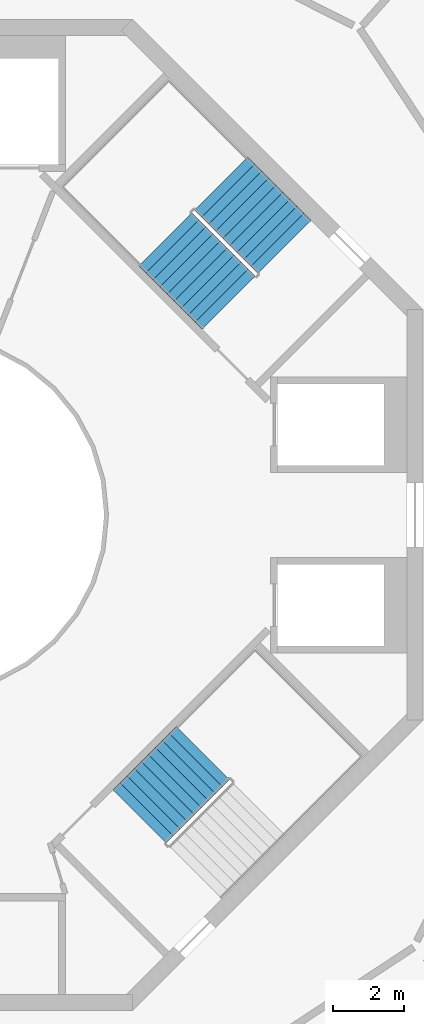
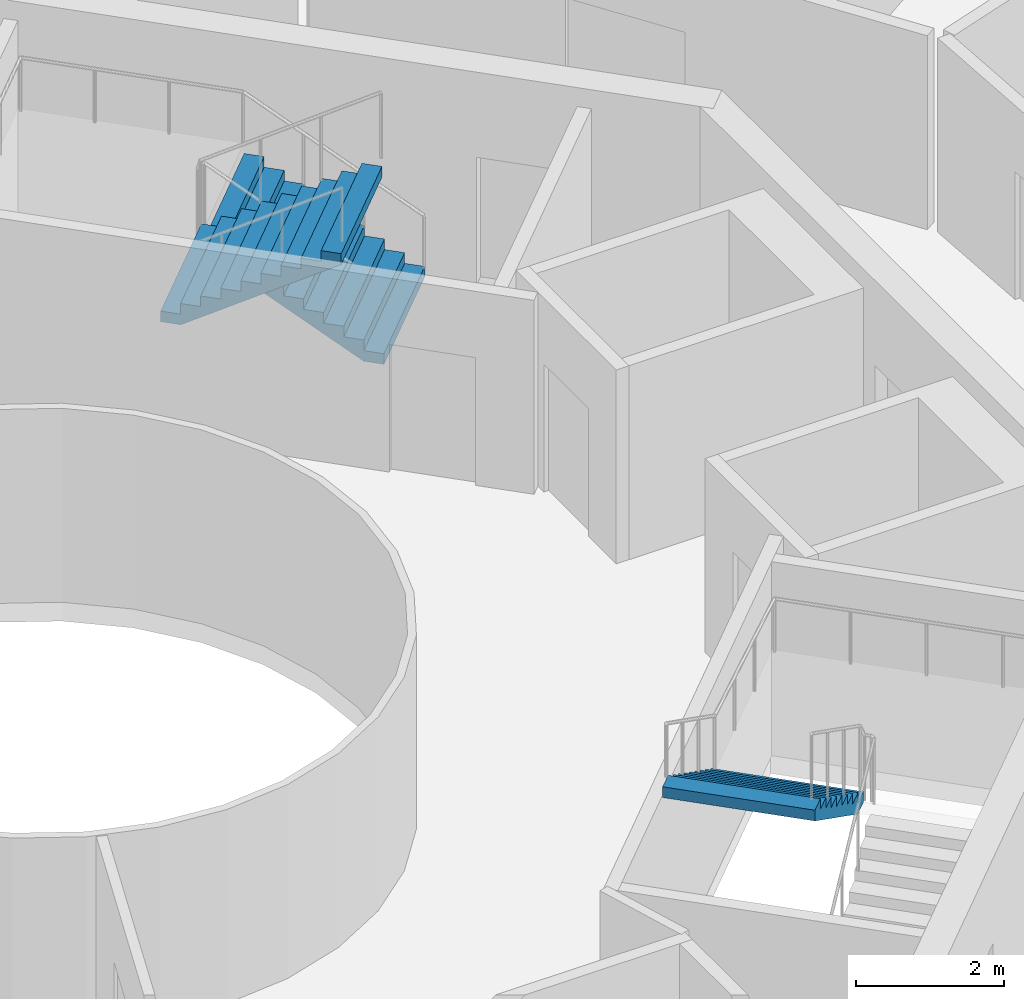
# One storey, part 25 of 26: 3 stair flights, 2 elements without a shape of their own.
"""IFC4 building model written with IfcOpenShell, lengths in metres."""

from ifc_helpers import new_model, si_unit, direction, frame, origin, place, context, subcontext, project, spatial, triangles, material, type_object, element, aggregate, save


model = new_model("IFC4")

# Units and contexts
model_context = context("Model", 3, precision=1e-05, world=origin(), true_north=direction((0.0, 1.0)))
body_context = subcontext(model_context, "Body", "Model", "MODEL_VIEW")
ifc_project = project(units=[si_unit("LENGTHUNIT", "METRE"), si_unit("AREAUNIT", "SQUARE_METRE"), si_unit("VOLUMEUNIT", "CUBIC_METRE"), si_unit("PLANEANGLEUNIT", "RADIAN"), si_unit("MASSUNIT", "GRAM", prefix="KILO")], contexts=[model_context])

# Site, building, storey
site_placement = place(None, origin())
site = spatial("IfcSite", under=ifc_project, at=site_placement, CompositionType="ELEMENT")
building_placement = place(site_placement, origin())
building = spatial("IfcBuilding", under=site, at=building_placement, Name="Verdalira Terraces Hotel", CompositionType="ELEMENT")
storey_placement = place(building_placement, frame((0.0, 0.0, 291.5)))
storey = spatial("IfcBuildingStorey", under=building, at=storey_placement, Name="L72", CompositionType="ELEMENT", Elevation=291.5)

# Stair, stair flights
ifc_material_1 = material(Name="Concrete C40", Category="concrete")
stair_type = type_object("IfcStairType", Name="Core stair 20 risers 2125 mm wide", PredefinedType="HALF_TURN_STAIR", material=ifc_material_1)
stair_1_placement = place(storey_placement, origin())
stair_1 = element("IfcStair", 1, at=stair_1_placement, inside=storey, type_object=stair_type, Name="L72 Exit stair ST1", PredefinedType="HALF_TURN_STAIR")
ifc_material_2 = material(Name="Concrete C40", Category="concrete")
stair_flight_type = type_object("IfcStairFlightType", Name="Core stair flight 20 risers 2125 mm wide", PredefinedType="STRAIGHT", material=ifc_material_2)
stair_flight_1_placement = place(storey_placement, frame((10.085205, 7.574951, 0.0), z_axis=(0.0, 0.0, 1.0), x_axis=(-0.707106781, 0.707106781, 0.0)))
stair_flight_1 = element("IfcStairFlight", 2, at=stair_flight_1_placement, type_object=stair_flight_type, Name="ST1 flight 1", NumberOfRisers=10, NumberOfTreads=9, PredefinedType="STRAIGHT", RiserHeight=0.175, TreadLength=0.28, context=body_context, shape_type="Tessellation", body=[
    triangles([(0.0, 1.0625, 0.0), (0.282715, 1.0625, 0.0), (2.52002, 1.0625, 1.398193), (0.0, -1.0625, 0.0), (0.282715, -1.0625, 0.0), (2.52002, -1.0625, 1.398193), (2.52002, 1.0625, 1.574951), (2.23999, 1.0625, 1.574951), (2.52002, -1.0625, 1.574951), (2.23999, -1.0625, 1.574951), (2.23999, 1.0625, 1.399902), (2.23999, -1.0625, 1.399902), (1.959961, 1.0625, 1.399902), (1.959961, -1.0625, 1.399902), (1.959961, 1.0625, 1.225098), (1.959961, -1.0625, 1.225098), (1.679932, 1.0625, 1.225098), (1.679932, 1.0625, 1.050049), (1.679932, -1.0625, 1.225098), (1.679932, -1.0625, 1.050049), (1.399902, 1.0625, 1.050049), (1.399902, 1.0625, 0.875), (1.399902, -1.0625, 1.050049), (1.399902, -1.0625, 0.875), (1.120117, 1.0625, 0.875), (1.120117, 1.0625, 0.699951), (1.120117, -1.0625, 0.875), (1.120117, -1.0625, 0.699951), (0.840088, 1.0625, 0.699951), (0.840088, 1.0625, 0.524902), (0.840088, -1.0625, 0.699951), (0.840088, -1.0625, 0.524902), (0.560059, 1.0625, 0.524902), (0.560059, 1.0625, 0.350098), (0.560059, -1.0625, 0.524902), (0.560059, -1.0625, 0.350098), (0.280029, 1.0625, 0.350098), (0.280029, 1.0625, 0.175049), (0.280029, -1.0625, 0.350098), (0.280029, -1.0625, 0.175049), (0.0, 1.0625, 0.175049), (0.0, -1.0625, 0.175049), (0.0, -0.996094, 0.0), (0.0, -0.996094, 0.175049), (0.0, -0.929688, 0.0), (0.0, -0.929688, 0.175049), (0.0, -0.863281, 0.0), (0.0, -0.863281, 0.175049), (0.0, -0.796875, 0.0), (0.0, -0.796875, 0.175049), (0.0, -0.730469, 0.0), (0.0, -0.730469, 0.175049), (0.0, -0.664062, 0.0), (0.0, -0.664062, 0.175049), (0.0, -0.597656, 0.0), (0.0, -0.597656, 0.175049), (0.0, -0.53125, 0.0), (0.0, -0.53125, 0.175049), (0.0, -0.464844, 0.0), (0.0, -0.464844, 0.175049), (0.0, -0.398438, 0.0), (0.0, -0.398438, 0.175049), (0.0, -0.332031, 0.0), (0.0, -0.332031, 0.175049), (0.0, -0.265625, 0.0), (0.0, -0.265625, 0.175049), (0.0, -0.199219, 0.0), (0.0, -0.199219, 0.175049), (0.0, -0.132812, 0.0), (0.0, -0.132812, 0.175049), (0.0, -0.066406, 0.0), (0.0, -0.066406, 0.175049), (0.0, 0.0, 0.0), (0.0, 0.0, 0.175049), (0.0, 0.066406, 0.0), (0.0, 0.066406, 0.175049), (0.0, 0.132812, 0.0), (0.0, 0.132812, 0.175049), (0.0, 0.199219, 0.0), (0.0, 0.199219, 0.175049), (0.0, 0.265625, 0.0), (0.0, 0.265625, 0.175049), (0.0, 0.332031, 0.0), (0.0, 0.332031, 0.175049), (0.0, 0.398438, 0.0), (0.0, 0.398438, 0.175049), (0.0, 0.464844, 0.0), (0.0, 0.464844, 0.175049), (0.0, 0.53125, 0.0), (0.0, 0.53125, 0.175049), (0.0, 0.597656, 0.0), (0.0, 0.597656, 0.175049), (0.0, 0.664062, 0.0), (0.0, 0.664062, 0.175049), (0.0, 0.730469, 0.0), (0.0, 0.730469, 0.175049), (0.0, 0.796875, 0.0), (0.0, 0.796875, 0.175049), (0.0, 0.863281, 0.0), (0.0, 0.863281, 0.175049), (0.0, 0.929688, 0.0), (0.0, 0.929688, 0.175049), (0.0, 0.996094, 0.0), (0.0, 0.996094, 0.175049), (2.52002, -0.996094, 1.574951), (2.52002, -0.929688, 1.574951), (2.52002, -0.863281, 1.574951), (2.52002, -0.796875, 1.574951), (2.52002, -0.730469, 1.574951), (2.52002, -0.664062, 1.574951), (2.52002, -0.597656, 1.574951), (2.52002, -0.53125, 1.574951), (2.52002, -0.464844, 1.574951), (2.52002, -0.398438, 1.574951), (2.52002, -0.332031, 1.574951), (2.52002, -0.265625, 1.574951), (2.52002, -0.199219, 1.574951), (2.52002, -0.132812, 1.574951), (2.52002, -0.066406, 1.574951), (2.52002, 0.0, 1.574951), (2.52002, 0.066406, 1.574951), (2.52002, 0.132812, 1.574951), (2.52002, 0.199219, 1.574951), (2.52002, 0.265625, 1.574951), (2.52002, 0.332031, 1.574951), (2.52002, 0.398438, 1.574951), (2.52002, 0.464844, 1.574951), (2.52002, 0.53125, 1.574951), (2.52002, 0.597656, 1.574951), (2.52002, 0.664062, 1.574951), (2.52002, 0.730469, 1.574951), (2.52002, 0.796875, 1.574951), (2.52002, 0.863281, 1.574951), (2.52002, 0.929688, 1.574951), (2.52002, 0.996094, 1.574951), (2.52002, -0.996094, 1.398193), (2.52002, -0.929688, 1.398193), (2.52002, -0.863281, 1.398193), (2.52002, -0.796875, 1.398193), (2.52002, -0.730469, 1.398193), (2.52002, -0.664062, 1.398193), (2.52002, -0.597656, 1.398193), (2.52002, -0.53125, 1.398193), (2.52002, -0.464844, 1.398193), (2.52002, -0.398438, 1.398193), (2.52002, -0.332031, 1.398193), (2.52002, -0.265625, 1.398193), (2.52002, -0.199219, 1.398193), (2.52002, -0.132812, 1.398193), (2.52002, -0.066406, 1.398193), (2.52002, 0.0, 1.398193), (2.52002, 0.066406, 1.398193), (2.52002, 0.132812, 1.398193), (2.52002, 0.199219, 1.398193), (2.52002, 0.265625, 1.398193), (2.52002, 0.332031, 1.398193), (2.52002, 0.398438, 1.398193), (2.52002, 0.464844, 1.398193), (2.52002, 0.53125, 1.398193), (2.52002, 0.597656, 1.398193), (2.52002, 0.664062, 1.398193), (2.52002, 0.730469, 1.398193), (2.52002, 0.796875, 1.398193), (2.52002, 0.863281, 1.398193), (2.52002, 0.929688, 1.398193), (2.52002, 0.996094, 1.398193)], [[1, 3, 2], [4, 5, 6], [3, 8, 7], [6, 9, 10], [3, 11, 8], [6, 10, 12], [3, 13, 11], [6, 12, 14], [3, 15, 13], [6, 14, 16], [15, 18, 17], [16, 19, 20], [3, 18, 15], [6, 16, 20], [18, 22, 21], [20, 23, 24], [3, 22, 18], [6, 20, 24], [22, 26, 25], [24, 27, 28], [3, 26, 22], [6, 24, 28], [26, 30, 29], [28, 31, 32], [3, 30, 26], [6, 28, 32], [1, 30, 3], [4, 6, 32], [30, 34, 33], [32, 35, 36], [34, 38, 37], [36, 39, 40], [30, 38, 34], [32, 36, 40], [1, 38, 30], [4, 32, 40], [38, 1, 41], [40, 42, 4], [4, 44, 43], [4, 42, 44], [43, 46, 45], [43, 44, 46], [45, 48, 47], [45, 46, 48], [47, 50, 49], [47, 48, 50], [49, 52, 51], [49, 50, 52], [51, 54, 53], [51, 52, 54], [53, 56, 55], [53, 54, 56], [55, 58, 57], [55, 56, 58], [57, 60, 59], [57, 58, 60], [59, 62, 61], [59, 60, 62], [61, 64, 63], [61, 62, 64], [63, 66, 65], [63, 64, 66], [65, 68, 67], [65, 66, 68], [67, 70, 69], [67, 68, 70], [69, 72, 71], [69, 70, 72], [71, 74, 73], [71, 72, 74], [73, 76, 75], [73, 74, 76], [75, 78, 77], [75, 76, 78], [77, 80, 79], [77, 78, 80], [79, 82, 81], [79, 80, 82], [81, 84, 83], [81, 82, 84], [83, 86, 85], [83, 84, 86], [85, 88, 87], [85, 86, 88], [87, 90, 89], [87, 88, 90], [89, 92, 91], [89, 90, 92], [91, 94, 93], [91, 92, 94], [93, 96, 95], [93, 94, 96], [95, 98, 97], [95, 96, 98], [97, 100, 99], [97, 98, 100], [99, 102, 101], [99, 100, 102], [101, 104, 103], [101, 102, 104], [103, 41, 1], [103, 104, 41], [42, 40, 44], [44, 40, 46], [46, 40, 48], [48, 40, 50], [50, 40, 52], [52, 40, 54], [54, 40, 56], [56, 40, 58], [58, 40, 60], [60, 40, 62], [62, 40, 64], [64, 40, 66], [66, 40, 68], [68, 40, 70], [70, 40, 72], [72, 40, 74], [74, 40, 76], [76, 40, 78], [78, 40, 80], [80, 40, 82], [82, 40, 84], [84, 40, 86], [86, 40, 88], [88, 40, 90], [90, 40, 92], [92, 40, 94], [94, 40, 96], [96, 40, 98], [98, 40, 100], [100, 40, 102], [102, 40, 104], [104, 40, 41], [41, 40, 38], [40, 37, 38], [40, 39, 37], [39, 34, 37], [39, 36, 34], [36, 33, 34], [36, 35, 33], [35, 30, 33], [35, 32, 30], [32, 29, 30], [32, 31, 29], [31, 26, 29], [31, 28, 26], [28, 25, 26], [28, 27, 25], [27, 22, 25], [27, 24, 22], [24, 21, 22], [24, 23, 21], [23, 18, 21], [23, 20, 18], [20, 17, 18], [20, 19, 17], [19, 15, 17], [19, 16, 15], [16, 13, 15], [16, 14, 13], [14, 11, 13], [14, 12, 11], [12, 8, 11], [12, 10, 8], [9, 105, 10], [105, 106, 10], [106, 107, 10], [107, 108, 10], [108, 109, 10], [109, 110, 10], [110, 111, 10], [111, 112, 10], [112, 113, 10], [113, 114, 10], [114, 115, 10], [115, 116, 10], [116, 117, 10], [117, 118, 10], [118, 119, 10], [119, 120, 10], [120, 121, 10], [121, 122, 10], [122, 123, 10], [123, 124, 10], [124, 125, 10], [125, 126, 10], [126, 127, 10], [127, 128, 10], [128, 129, 10], [129, 130, 10], [130, 131, 10], [131, 132, 10], [132, 133, 10], [133, 134, 10], [134, 135, 10], [135, 7, 10], [7, 8, 10], [9, 136, 105], [9, 6, 136], [105, 137, 106], [105, 136, 137], [106, 138, 107], [106, 137, 138], [107, 139, 108], [107, 138, 139], [108, 140, 109], [108, 139, 140], [109, 141, 110], [109, 140, 141], [110, 142, 111], [110, 141, 142], [111, 143, 112], [111, 142, 143], [112, 144, 113], [112, 143, 144], [113, 145, 114], [113, 144, 145], [114, 146, 115], [114, 145, 146], [115, 147, 116], [115, 146, 147], [116, 148, 117], [116, 147, 148], [117, 149, 118], [117, 148, 149], [118, 150, 119], [118, 149, 150], [119, 151, 120], [119, 150, 151], [120, 152, 121], [120, 151, 152], [121, 153, 122], [121, 152, 153], [122, 154, 123], [122, 153, 154], [123, 155, 124], [123, 154, 155], [124, 156, 125], [124, 155, 156], [125, 157, 126], [125, 156, 157], [126, 158, 127], [126, 157, 158], [127, 159, 128], [127, 158, 159], [128, 160, 129], [128, 159, 160], [129, 161, 130], [129, 160, 161], [130, 162, 131], [130, 161, 162], [131, 163, 132], [131, 162, 163], [132, 164, 133], [132, 163, 164], [133, 165, 134], [133, 164, 165], [134, 166, 135], [134, 165, 166], [135, 3, 7], [135, 166, 3], [6, 5, 136], [136, 5, 137], [137, 5, 138], [138, 5, 139], [139, 5, 140], [140, 5, 141], [141, 5, 142], [142, 5, 143], [143, 5, 144], [144, 5, 145], [145, 5, 146], [146, 5, 147], [147, 5, 148], [148, 5, 149], [149, 5, 150], [150, 5, 151], [151, 5, 152], [152, 5, 153], [153, 5, 154], [154, 5, 155], [155, 5, 156], [156, 5, 157], [157, 5, 158], [158, 5, 159], [159, 5, 160], [160, 5, 161], [161, 5, 162], [162, 5, 163], [163, 5, 164], [164, 5, 165], [165, 5, 166], [166, 5, 3], [3, 5, 2], [4, 43, 5], [43, 45, 5], [45, 47, 5], [47, 49, 5], [49, 51, 5], [51, 53, 5], [53, 55, 5], [55, 57, 5], [57, 59, 5], [59, 61, 5], [61, 63, 5], [63, 65, 5], [65, 67, 5], [67, 69, 5], [69, 71, 5], [71, 73, 5], [73, 75, 5], [75, 77, 5], [77, 79, 5], [79, 81, 5], [81, 83, 5], [83, 85, 5], [85, 87, 5], [87, 89, 5], [89, 91, 5], [91, 93, 5], [93, 95, 5], [95, 97, 5], [97, 99, 5], [99, 101, 5], [101, 103, 5], [103, 1, 5], [1, 2, 5]], closed=True),
])
stair_flight_2_placement = place(storey_placement, frame((6.72998, 7.783447, 1.75), z_axis=(0.0, 0.0, 1.0), x_axis=(0.707106781, -0.707106781, 0.0)))
stair_flight_2 = element("IfcStairFlight", 3, at=stair_flight_2_placement, type_object=stair_flight_type, Name="ST1 flight 2", NumberOfRisers=10, NumberOfTreads=9, PredefinedType="STRAIGHT", RiserHeight=0.175, TreadLength=0.28, context=body_context, shape_type="Tessellation", body=[
    triangles([(0.0, 1.0625, 0.0), (0.282715, 1.0625, 0.0), (2.52002, 1.0625, 1.398193), (0.0, -1.0625, 0.0), (0.282715, -1.0625, 0.0), (2.52002, -1.0625, 1.398193), (2.52002, 1.0625, 1.574951), (2.23999, 1.0625, 1.574951), (2.52002, -1.0625, 1.574951), (2.23999, -1.0625, 1.574951), (2.23999, 1.0625, 1.399902), (2.23999, -1.0625, 1.399902), (1.959961, 1.0625, 1.399902), (1.959961, -1.0625, 1.399902), (1.959961, 1.0625, 1.225098), (1.959961, -1.0625, 1.225098), (1.679932, 1.0625, 1.225098), (1.679932, 1.0625, 1.050049), (1.679932, -1.0625, 1.225098), (1.679932, -1.0625, 1.050049), (1.399902, 1.0625, 1.050049), (1.399902, 1.0625, 0.875), (1.399902, -1.0625, 1.050049), (1.399902, -1.0625, 0.875), (1.120117, 1.0625, 0.875), (1.120117, 1.0625, 0.699951), (1.120117, -1.0625, 0.875), (1.120117, -1.0625, 0.699951), (0.840088, 1.0625, 0.699951), (0.840088, 1.0625, 0.524902), (0.840088, -1.0625, 0.699951), (0.840088, -1.0625, 0.524902), (0.560059, 1.0625, 0.524902), (0.560059, 1.0625, 0.350098), (0.560059, -1.0625, 0.524902), (0.560059, -1.0625, 0.350098), (0.280029, 1.0625, 0.350098), (0.280029, 1.0625, 0.175049), (0.280029, -1.0625, 0.350098), (0.280029, -1.0625, 0.175049), (0.0, 1.0625, 0.175049), (0.0, -1.0625, 0.175049), (0.0, -0.996094, 0.0), (0.0, -0.996094, 0.175049), (0.0, -0.929688, 0.0), (0.0, -0.929688, 0.175049), (0.0, -0.863281, 0.0), (0.0, -0.863281, 0.175049), (0.0, -0.796875, 0.0), (0.0, -0.796875, 0.175049), (0.0, -0.730469, 0.0), (0.0, -0.730469, 0.175049), (0.0, -0.664062, 0.0), (0.0, -0.664062, 0.175049), (0.0, -0.597656, 0.0), (0.0, -0.597656, 0.175049), (0.0, -0.53125, 0.0), (0.0, -0.53125, 0.175049), (0.0, -0.464844, 0.0), (0.0, -0.464844, 0.175049), (0.0, -0.398438, 0.0), (0.0, -0.398438, 0.175049), (0.0, -0.332031, 0.0), (0.0, -0.332031, 0.175049), (0.0, -0.265625, 0.0), (0.0, -0.265625, 0.175049), (0.0, -0.199219, 0.0), (0.0, -0.199219, 0.175049), (0.0, -0.132812, 0.0), (0.0, -0.132812, 0.175049), (0.0, -0.066406, 0.0), (0.0, -0.066406, 0.175049), (0.0, 0.0, 0.0), (0.0, 0.0, 0.175049), (0.0, 0.066406, 0.0), (0.0, 0.066406, 0.175049), (0.0, 0.132812, 0.0), (0.0, 0.132812, 0.175049), (0.0, 0.199219, 0.0), (0.0, 0.199219, 0.175049), (0.0, 0.265625, 0.0), (0.0, 0.265625, 0.175049), (0.0, 0.332031, 0.0), (0.0, 0.332031, 0.175049), (0.0, 0.398438, 0.0), (0.0, 0.398438, 0.175049), (0.0, 0.464844, 0.0), (0.0, 0.464844, 0.175049), (0.0, 0.53125, 0.0), (0.0, 0.53125, 0.175049), (0.0, 0.597656, 0.0), (0.0, 0.597656, 0.175049), (0.0, 0.664062, 0.0), (0.0, 0.664062, 0.175049), (0.0, 0.730469, 0.0), (0.0, 0.730469, 0.175049), (0.0, 0.796875, 0.0), (0.0, 0.796875, 0.175049), (0.0, 0.863281, 0.0), (0.0, 0.863281, 0.175049), (0.0, 0.929688, 0.0), (0.0, 0.929688, 0.175049), (0.0, 0.996094, 0.0), (0.0, 0.996094, 0.175049), (2.52002, -0.996094, 1.574951), (2.52002, -0.929688, 1.574951), (2.52002, -0.863281, 1.574951), (2.52002, -0.796875, 1.574951), (2.52002, -0.730469, 1.574951), (2.52002, -0.664062, 1.574951), (2.52002, -0.597656, 1.574951), (2.52002, -0.53125, 1.574951), (2.52002, -0.464844, 1.574951), (2.52002, -0.398438, 1.574951), (2.52002, -0.332031, 1.574951), (2.52002, -0.265625, 1.574951), (2.52002, -0.199219, 1.574951), (2.52002, -0.132812, 1.574951), (2.52002, -0.066406, 1.574951), (2.52002, 0.0, 1.574951), (2.52002, 0.066406, 1.574951), (2.52002, 0.132812, 1.574951), (2.52002, 0.199219, 1.574951), (2.52002, 0.265625, 1.574951), (2.52002, 0.332031, 1.574951), (2.52002, 0.398438, 1.574951), (2.52002, 0.464844, 1.574951), (2.52002, 0.53125, 1.574951), (2.52002, 0.597656, 1.574951), (2.52002, 0.664062, 1.574951), (2.52002, 0.730469, 1.574951), (2.52002, 0.796875, 1.574951), (2.52002, 0.863281, 1.574951), (2.52002, 0.929688, 1.574951), (2.52002, 0.996094, 1.574951), (2.52002, -0.996094, 1.398193), (2.52002, -0.929688, 1.398193), (2.52002, -0.863281, 1.398193), (2.52002, -0.796875, 1.398193), (2.52002, -0.730469, 1.398193), (2.52002, -0.664062, 1.398193), (2.52002, -0.597656, 1.398193), (2.52002, -0.53125, 1.398193), (2.52002, -0.464844, 1.398193), (2.52002, -0.398438, 1.398193), (2.52002, -0.332031, 1.398193), (2.52002, -0.265625, 1.398193), (2.52002, -0.199219, 1.398193), (2.52002, -0.132812, 1.398193), (2.52002, -0.066406, 1.398193), (2.52002, 0.0, 1.398193), (2.52002, 0.066406, 1.398193), (2.52002, 0.132812, 1.398193), (2.52002, 0.199219, 1.398193), (2.52002, 0.265625, 1.398193), (2.52002, 0.332031, 1.398193), (2.52002, 0.398438, 1.398193), (2.52002, 0.464844, 1.398193), (2.52002, 0.53125, 1.398193), (2.52002, 0.597656, 1.398193), (2.52002, 0.664062, 1.398193), (2.52002, 0.730469, 1.398193), (2.52002, 0.796875, 1.398193), (2.52002, 0.863281, 1.398193), (2.52002, 0.929688, 1.398193), (2.52002, 0.996094, 1.398193)], [[1, 3, 2], [4, 5, 6], [3, 8, 7], [6, 9, 10], [3, 11, 8], [6, 10, 12], [3, 13, 11], [6, 12, 14], [3, 15, 13], [6, 14, 16], [15, 18, 17], [16, 19, 20], [3, 18, 15], [6, 16, 20], [18, 22, 21], [20, 23, 24], [3, 22, 18], [6, 20, 24], [22, 26, 25], [24, 27, 28], [3, 26, 22], [6, 24, 28], [26, 30, 29], [28, 31, 32], [3, 30, 26], [6, 28, 32], [1, 30, 3], [4, 6, 32], [30, 34, 33], [32, 35, 36], [34, 38, 37], [36, 39, 40], [30, 38, 34], [32, 36, 40], [1, 38, 30], [4, 32, 40], [38, 1, 41], [40, 42, 4], [4, 44, 43], [4, 42, 44], [43, 46, 45], [43, 44, 46], [45, 48, 47], [45, 46, 48], [47, 50, 49], [47, 48, 50], [49, 52, 51], [49, 50, 52], [51, 54, 53], [51, 52, 54], [53, 56, 55], [53, 54, 56], [55, 58, 57], [55, 56, 58], [57, 60, 59], [57, 58, 60], [59, 62, 61], [59, 60, 62], [61, 64, 63], [61, 62, 64], [63, 66, 65], [63, 64, 66], [65, 68, 67], [65, 66, 68], [67, 70, 69], [67, 68, 70], [69, 72, 71], [69, 70, 72], [71, 74, 73], [71, 72, 74], [73, 76, 75], [73, 74, 76], [75, 78, 77], [75, 76, 78], [77, 80, 79], [77, 78, 80], [79, 82, 81], [79, 80, 82], [81, 84, 83], [81, 82, 84], [83, 86, 85], [83, 84, 86], [85, 88, 87], [85, 86, 88], [87, 90, 89], [87, 88, 90], [89, 92, 91], [89, 90, 92], [91, 94, 93], [91, 92, 94], [93, 96, 95], [93, 94, 96], [95, 98, 97], [95, 96, 98], [97, 100, 99], [97, 98, 100], [99, 102, 101], [99, 100, 102], [101, 104, 103], [101, 102, 104], [103, 41, 1], [103, 104, 41], [42, 40, 44], [44, 40, 46], [46, 40, 48], [48, 40, 50], [50, 40, 52], [52, 40, 54], [54, 40, 56], [56, 40, 58], [58, 40, 60], [60, 40, 62], [62, 40, 64], [64, 40, 66], [66, 40, 68], [68, 40, 70], [70, 40, 72], [72, 40, 74], [74, 40, 76], [76, 40, 78], [78, 40, 80], [80, 40, 82], [82, 40, 84], [84, 40, 86], [86, 40, 88], [88, 40, 90], [90, 40, 92], [92, 40, 94], [94, 40, 96], [96, 40, 98], [98, 40, 100], [100, 40, 102], [102, 40, 104], [104, 40, 41], [41, 40, 38], [40, 37, 38], [40, 39, 37], [39, 34, 37], [39, 36, 34], [36, 33, 34], [36, 35, 33], [35, 30, 33], [35, 32, 30], [32, 29, 30], [32, 31, 29], [31, 26, 29], [31, 28, 26], [28, 25, 26], [28, 27, 25], [27, 22, 25], [27, 24, 22], [24, 21, 22], [24, 23, 21], [23, 18, 21], [23, 20, 18], [20, 17, 18], [20, 19, 17], [19, 15, 17], [19, 16, 15], [16, 13, 15], [16, 14, 13], [14, 11, 13], [14, 12, 11], [12, 8, 11], [12, 10, 8], [9, 105, 10], [105, 106, 10], [106, 107, 10], [107, 108, 10], [108, 109, 10], [109, 110, 10], [110, 111, 10], [111, 112, 10], [112, 113, 10], [113, 114, 10], [114, 115, 10], [115, 116, 10], [116, 117, 10], [117, 118, 10], [118, 119, 10], [119, 120, 10], [120, 121, 10], [121, 122, 10], [122, 123, 10], [123, 124, 10], [124, 125, 10], [125, 126, 10], [126, 127, 10], [127, 128, 10], [128, 129, 10], [129, 130, 10], [130, 131, 10], [131, 132, 10], [132, 133, 10], [133, 134, 10], [134, 135, 10], [135, 7, 10], [7, 8, 10], [9, 136, 105], [9, 6, 136], [105, 137, 106], [105, 136, 137], [106, 138, 107], [106, 137, 138], [107, 139, 108], [107, 138, 139], [108, 140, 109], [108, 139, 140], [109, 141, 110], [109, 140, 141], [110, 142, 111], [110, 141, 142], [111, 143, 112], [111, 142, 143], [112, 144, 113], [112, 143, 144], [113, 145, 114], [113, 144, 145], [114, 146, 115], [114, 145, 146], [115, 147, 116], [115, 146, 147], [116, 148, 117], [116, 147, 148], [117, 149, 118], [117, 148, 149], [118, 150, 119], [118, 149, 150], [119, 151, 120], [119, 150, 151], [120, 152, 121], [120, 151, 152], [121, 153, 122], [121, 152, 153], [122, 154, 123], [122, 153, 154], [123, 155, 124], [123, 154, 155], [124, 156, 125], [124, 155, 156], [125, 157, 126], [125, 156, 157], [126, 158, 127], [126, 157, 158], [127, 159, 128], [127, 158, 159], [128, 160, 129], [128, 159, 160], [129, 161, 130], [129, 160, 161], [130, 162, 131], [130, 161, 162], [131, 163, 132], [131, 162, 163], [132, 164, 133], [132, 163, 164], [133, 165, 134], [133, 164, 165], [134, 166, 135], [134, 165, 166], [135, 3, 7], [135, 166, 3], [6, 5, 136], [136, 5, 137], [137, 5, 138], [138, 5, 139], [139, 5, 140], [140, 5, 141], [141, 5, 142], [142, 5, 143], [143, 5, 144], [144, 5, 145], [145, 5, 146], [146, 5, 147], [147, 5, 148], [148, 5, 149], [149, 5, 150], [150, 5, 151], [151, 5, 152], [152, 5, 153], [153, 5, 154], [154, 5, 155], [155, 5, 156], [156, 5, 157], [157, 5, 158], [158, 5, 159], [159, 5, 160], [160, 5, 161], [161, 5, 162], [162, 5, 163], [163, 5, 164], [164, 5, 165], [165, 5, 166], [166, 5, 3], [3, 5, 2], [4, 43, 5], [43, 45, 5], [45, 47, 5], [47, 49, 5], [49, 51, 5], [51, 53, 5], [53, 55, 5], [55, 57, 5], [57, 59, 5], [59, 61, 5], [61, 63, 5], [63, 65, 5], [65, 67, 5], [67, 69, 5], [69, 71, 5], [71, 73, 5], [73, 75, 5], [75, 77, 5], [77, 79, 5], [79, 81, 5], [81, 83, 5], [83, 85, 5], [85, 87, 5], [87, 89, 5], [89, 91, 5], [91, 93, 5], [93, 95, 5], [95, 97, 5], [97, 99, 5], [99, 101, 5], [101, 103, 5], [103, 1, 5], [1, 2, 5]], closed=True),
])
aggregate(stair_1, [stair_flight_1, stair_flight_2])

# Stair, stair flight
stair_2_placement = place(storey_placement, origin())
stair_2 = element("IfcStair", 4, at=stair_2_placement, inside=storey, type_object=stair_type, Name="L72 Exit stair ST3", PredefinedType="HALF_TURN_STAIR")
stair_flight_3_placement = place(storey_placement, frame((7.783447, -6.72998, 1.75), z_axis=(0.0, 0.0, 1.0), x_axis=(-0.707106781, -0.707106781, 0.0)))
stair_flight_3 = element("IfcStairFlight", 5, at=stair_flight_3_placement, type_object=stair_flight_type, Name="ST3 flight 2", NumberOfRisers=10, NumberOfTreads=9, PredefinedType="STRAIGHT", RiserHeight=0.175, TreadLength=0.28, context=body_context, shape_type="Tessellation", body=[
    triangles([(0.0, 1.0625, 0.0), (0.282715, 1.0625, 0.0), (2.52002, 1.0625, 1.398193), (0.0, -1.0625, 0.0), (0.282715, -1.0625, 0.0), (2.52002, -1.0625, 1.398193), (2.52002, 1.0625, 1.574951), (2.23999, 1.0625, 1.574951), (2.52002, -1.0625, 1.574951), (2.23999, -1.0625, 1.574951), (2.23999, 1.0625, 1.399902), (2.23999, -1.0625, 1.399902), (1.959961, 1.0625, 1.399902), (1.959961, -1.0625, 1.399902), (1.959961, 1.0625, 1.225098), (1.959961, -1.0625, 1.225098), (1.679932, 1.0625, 1.225098), (1.679932, 1.0625, 1.050049), (1.679932, -1.0625, 1.225098), (1.679932, -1.0625, 1.050049), (1.399902, 1.0625, 1.050049), (1.399902, 1.0625, 0.875), (1.399902, -1.0625, 1.050049), (1.399902, -1.0625, 0.875), (1.120117, 1.0625, 0.875), (1.120117, 1.0625, 0.699951), (1.120117, -1.0625, 0.875), (1.120117, -1.0625, 0.699951), (0.840088, 1.0625, 0.699951), (0.840088, 1.0625, 0.524902), (0.840088, -1.0625, 0.699951), (0.840088, -1.0625, 0.524902), (0.560059, 1.0625, 0.524902), (0.560059, 1.0625, 0.350098), (0.560059, -1.0625, 0.524902), (0.560059, -1.0625, 0.350098), (0.280029, 1.0625, 0.350098), (0.280029, 1.0625, 0.175049), (0.280029, -1.0625, 0.350098), (0.280029, -1.0625, 0.175049), (0.0, 1.0625, 0.175049), (0.0, -1.0625, 0.175049), (0.0, -0.996094, 0.0), (0.0, -0.996094, 0.175049), (0.0, -0.929688, 0.0), (0.0, -0.929688, 0.175049), (0.0, -0.863281, 0.0), (0.0, -0.863281, 0.175049), (0.0, -0.796875, 0.0), (0.0, -0.796875, 0.175049), (0.0, -0.730469, 0.0), (0.0, -0.730469, 0.175049), (0.0, -0.664062, 0.0), (0.0, -0.664062, 0.175049), (0.0, -0.597656, 0.0), (0.0, -0.597656, 0.175049), (0.0, -0.53125, 0.0), (0.0, -0.53125, 0.175049), (0.0, -0.464844, 0.0), (0.0, -0.464844, 0.175049), (0.0, -0.398438, 0.0), (0.0, -0.398438, 0.175049), (0.0, -0.332031, 0.0), (0.0, -0.332031, 0.175049), (0.0, -0.265625, 0.0), (0.0, -0.265625, 0.175049), (0.0, -0.199219, 0.0), (0.0, -0.199219, 0.175049), (0.0, -0.132812, 0.0), (0.0, -0.132812, 0.175049), (0.0, -0.066406, 0.0), (0.0, -0.066406, 0.175049), (0.0, 0.0, 0.0), (0.0, 0.0, 0.175049), (0.0, 0.066406, 0.0), (0.0, 0.066406, 0.175049), (0.0, 0.132812, 0.0), (0.0, 0.132812, 0.175049), (0.0, 0.199219, 0.0), (0.0, 0.199219, 0.175049), (0.0, 0.265625, 0.0), (0.0, 0.265625, 0.175049), (0.0, 0.332031, 0.0), (0.0, 0.332031, 0.175049), (0.0, 0.398438, 0.0), (0.0, 0.398438, 0.175049), (0.0, 0.464844, 0.0), (0.0, 0.464844, 0.175049), (0.0, 0.53125, 0.0), (0.0, 0.53125, 0.175049), (0.0, 0.597656, 0.0), (0.0, 0.597656, 0.175049), (0.0, 0.664062, 0.0), (0.0, 0.664062, 0.175049), (0.0, 0.730469, 0.0), (0.0, 0.730469, 0.175049), (0.0, 0.796875, 0.0), (0.0, 0.796875, 0.175049), (0.0, 0.863281, 0.0), (0.0, 0.863281, 0.175049), (0.0, 0.929688, 0.0), (0.0, 0.929688, 0.175049), (0.0, 0.996094, 0.0), (0.0, 0.996094, 0.175049), (2.52002, -0.996094, 1.574951), (2.52002, -0.929688, 1.574951), (2.52002, -0.863281, 1.574951), (2.52002, -0.796875, 1.574951), (2.52002, -0.730469, 1.574951), (2.52002, -0.664062, 1.574951), (2.52002, -0.597656, 1.574951), (2.52002, -0.53125, 1.574951), (2.52002, -0.464844, 1.574951), (2.52002, -0.398438, 1.574951), (2.52002, -0.332031, 1.574951), (2.52002, -0.265625, 1.574951), (2.52002, -0.199219, 1.574951), (2.52002, -0.132812, 1.574951), (2.52002, -0.066406, 1.574951), (2.52002, 0.0, 1.574951), (2.52002, 0.066406, 1.574951), (2.52002, 0.132812, 1.574951), (2.52002, 0.199219, 1.574951), (2.52002, 0.265625, 1.574951), (2.52002, 0.332031, 1.574951), (2.52002, 0.398438, 1.574951), (2.52002, 0.464844, 1.574951), (2.52002, 0.53125, 1.574951), (2.52002, 0.597656, 1.574951), (2.52002, 0.664062, 1.574951), (2.52002, 0.730469, 1.574951), (2.52002, 0.796875, 1.574951), (2.52002, 0.863281, 1.574951), (2.52002, 0.929688, 1.574951), (2.52002, 0.996094, 1.574951), (2.52002, -0.996094, 1.398193), (2.52002, -0.929688, 1.398193), (2.52002, -0.863281, 1.398193), (2.52002, -0.796875, 1.398193), (2.52002, -0.730469, 1.398193), (2.52002, -0.664062, 1.398193), (2.52002, -0.597656, 1.398193), (2.52002, -0.53125, 1.398193), (2.52002, -0.464844, 1.398193), (2.52002, -0.398438, 1.398193), (2.52002, -0.332031, 1.398193), (2.52002, -0.265625, 1.398193), (2.52002, -0.199219, 1.398193), (2.52002, -0.132812, 1.398193), (2.52002, -0.066406, 1.398193), (2.52002, 0.0, 1.398193), (2.52002, 0.066406, 1.398193), (2.52002, 0.132812, 1.398193), (2.52002, 0.199219, 1.398193), (2.52002, 0.265625, 1.398193), (2.52002, 0.332031, 1.398193), (2.52002, 0.398438, 1.398193), (2.52002, 0.464844, 1.398193), (2.52002, 0.53125, 1.398193), (2.52002, 0.597656, 1.398193), (2.52002, 0.664062, 1.398193), (2.52002, 0.730469, 1.398193), (2.52002, 0.796875, 1.398193), (2.52002, 0.863281, 1.398193), (2.52002, 0.929688, 1.398193), (2.52002, 0.996094, 1.398193)], [[1, 3, 2], [4, 5, 6], [3, 8, 7], [6, 9, 10], [3, 11, 8], [6, 10, 12], [3, 13, 11], [6, 12, 14], [3, 15, 13], [6, 14, 16], [15, 18, 17], [16, 19, 20], [3, 18, 15], [6, 16, 20], [18, 22, 21], [20, 23, 24], [3, 22, 18], [6, 20, 24], [22, 26, 25], [24, 27, 28], [3, 26, 22], [6, 24, 28], [26, 30, 29], [28, 31, 32], [3, 30, 26], [6, 28, 32], [1, 30, 3], [4, 6, 32], [30, 34, 33], [32, 35, 36], [34, 38, 37], [36, 39, 40], [30, 38, 34], [32, 36, 40], [1, 38, 30], [4, 32, 40], [38, 1, 41], [40, 42, 4], [4, 44, 43], [4, 42, 44], [43, 46, 45], [43, 44, 46], [45, 48, 47], [45, 46, 48], [47, 50, 49], [47, 48, 50], [49, 52, 51], [49, 50, 52], [51, 54, 53], [51, 52, 54], [53, 56, 55], [53, 54, 56], [55, 58, 57], [55, 56, 58], [57, 60, 59], [57, 58, 60], [59, 62, 61], [59, 60, 62], [61, 64, 63], [61, 62, 64], [63, 66, 65], [63, 64, 66], [65, 68, 67], [65, 66, 68], [67, 70, 69], [67, 68, 70], [69, 72, 71], [69, 70, 72], [71, 74, 73], [71, 72, 74], [73, 76, 75], [73, 74, 76], [75, 78, 77], [75, 76, 78], [77, 80, 79], [77, 78, 80], [79, 82, 81], [79, 80, 82], [81, 84, 83], [81, 82, 84], [83, 86, 85], [83, 84, 86], [85, 88, 87], [85, 86, 88], [87, 90, 89], [87, 88, 90], [89, 92, 91], [89, 90, 92], [91, 94, 93], [91, 92, 94], [93, 96, 95], [93, 94, 96], [95, 98, 97], [95, 96, 98], [97, 100, 99], [97, 98, 100], [99, 102, 101], [99, 100, 102], [101, 104, 103], [101, 102, 104], [103, 41, 1], [103, 104, 41], [42, 40, 44], [44, 40, 46], [46, 40, 48], [48, 40, 50], [50, 40, 52], [52, 40, 54], [54, 40, 56], [56, 40, 58], [58, 40, 60], [60, 40, 62], [62, 40, 64], [64, 40, 66], [66, 40, 68], [68, 40, 70], [70, 40, 72], [72, 40, 74], [74, 40, 76], [76, 40, 78], [78, 40, 80], [80, 40, 82], [82, 40, 84], [84, 40, 86], [86, 40, 88], [88, 40, 90], [90, 40, 92], [92, 40, 94], [94, 40, 96], [96, 40, 98], [98, 40, 100], [100, 40, 102], [102, 40, 104], [104, 40, 41], [41, 40, 38], [40, 37, 38], [40, 39, 37], [39, 34, 37], [39, 36, 34], [36, 33, 34], [36, 35, 33], [35, 30, 33], [35, 32, 30], [32, 29, 30], [32, 31, 29], [31, 26, 29], [31, 28, 26], [28, 25, 26], [28, 27, 25], [27, 22, 25], [27, 24, 22], [24, 21, 22], [24, 23, 21], [23, 18, 21], [23, 20, 18], [20, 17, 18], [20, 19, 17], [19, 15, 17], [19, 16, 15], [16, 13, 15], [16, 14, 13], [14, 11, 13], [14, 12, 11], [12, 8, 11], [12, 10, 8], [9, 105, 10], [105, 106, 10], [106, 107, 10], [107, 108, 10], [108, 109, 10], [109, 110, 10], [110, 111, 10], [111, 112, 10], [112, 113, 10], [113, 114, 10], [114, 115, 10], [115, 116, 10], [116, 117, 10], [117, 118, 10], [118, 119, 10], [119, 120, 10], [120, 121, 10], [121, 122, 10], [122, 123, 10], [123, 124, 10], [124, 125, 10], [125, 126, 10], [126, 127, 10], [127, 128, 10], [128, 129, 10], [129, 130, 10], [130, 131, 10], [131, 132, 10], [132, 133, 10], [133, 134, 10], [134, 135, 10], [135, 7, 10], [7, 8, 10], [9, 136, 105], [9, 6, 136], [105, 137, 106], [105, 136, 137], [106, 138, 107], [106, 137, 138], [107, 139, 108], [107, 138, 139], [108, 140, 109], [108, 139, 140], [109, 141, 110], [109, 140, 141], [110, 142, 111], [110, 141, 142], [111, 143, 112], [111, 142, 143], [112, 144, 113], [112, 143, 144], [113, 145, 114], [113, 144, 145], [114, 146, 115], [114, 145, 146], [115, 147, 116], [115, 146, 147], [116, 148, 117], [116, 147, 148], [117, 149, 118], [117, 148, 149], [118, 150, 119], [118, 149, 150], [119, 151, 120], [119, 150, 151], [120, 152, 121], [120, 151, 152], [121, 153, 122], [121, 152, 153], [122, 154, 123], [122, 153, 154], [123, 155, 124], [123, 154, 155], [124, 156, 125], [124, 155, 156], [125, 157, 126], [125, 156, 157], [126, 158, 127], [126, 157, 158], [127, 159, 128], [127, 158, 159], [128, 160, 129], [128, 159, 160], [129, 161, 130], [129, 160, 161], [130, 162, 131], [130, 161, 162], [131, 163, 132], [131, 162, 163], [132, 164, 133], [132, 163, 164], [133, 165, 134], [133, 164, 165], [134, 166, 135], [134, 165, 166], [135, 3, 7], [135, 166, 3], [6, 5, 136], [136, 5, 137], [137, 5, 138], [138, 5, 139], [139, 5, 140], [140, 5, 141], [141, 5, 142], [142, 5, 143], [143, 5, 144], [144, 5, 145], [145, 5, 146], [146, 5, 147], [147, 5, 148], [148, 5, 149], [149, 5, 150], [150, 5, 151], [151, 5, 152], [152, 5, 153], [153, 5, 154], [154, 5, 155], [155, 5, 156], [156, 5, 157], [157, 5, 158], [158, 5, 159], [159, 5, 160], [160, 5, 161], [161, 5, 162], [162, 5, 163], [163, 5, 164], [164, 5, 165], [165, 5, 166], [166, 5, 3], [3, 5, 2], [4, 43, 5], [43, 45, 5], [45, 47, 5], [47, 49, 5], [49, 51, 5], [51, 53, 5], [53, 55, 5], [55, 57, 5], [57, 59, 5], [59, 61, 5], [61, 63, 5], [63, 65, 5], [65, 67, 5], [67, 69, 5], [69, 71, 5], [71, 73, 5], [73, 75, 5], [75, 77, 5], [77, 79, 5], [79, 81, 5], [81, 83, 5], [83, 85, 5], [85, 87, 5], [87, 89, 5], [89, 91, 5], [91, 93, 5], [93, 95, 5], [95, 97, 5], [97, 99, 5], [99, 101, 5], [101, 103, 5], [103, 1, 5], [1, 2, 5]], closed=True),
])
aggregate(stair_2, [stair_flight_3])

save(model, "model.ifc")
